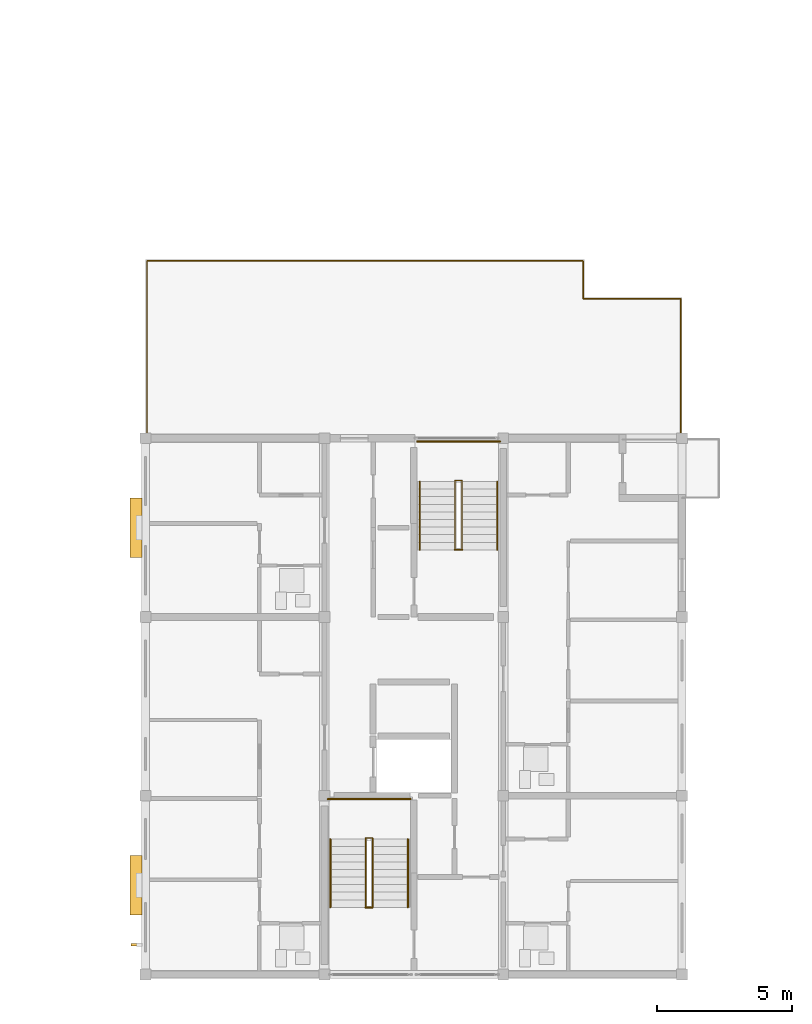
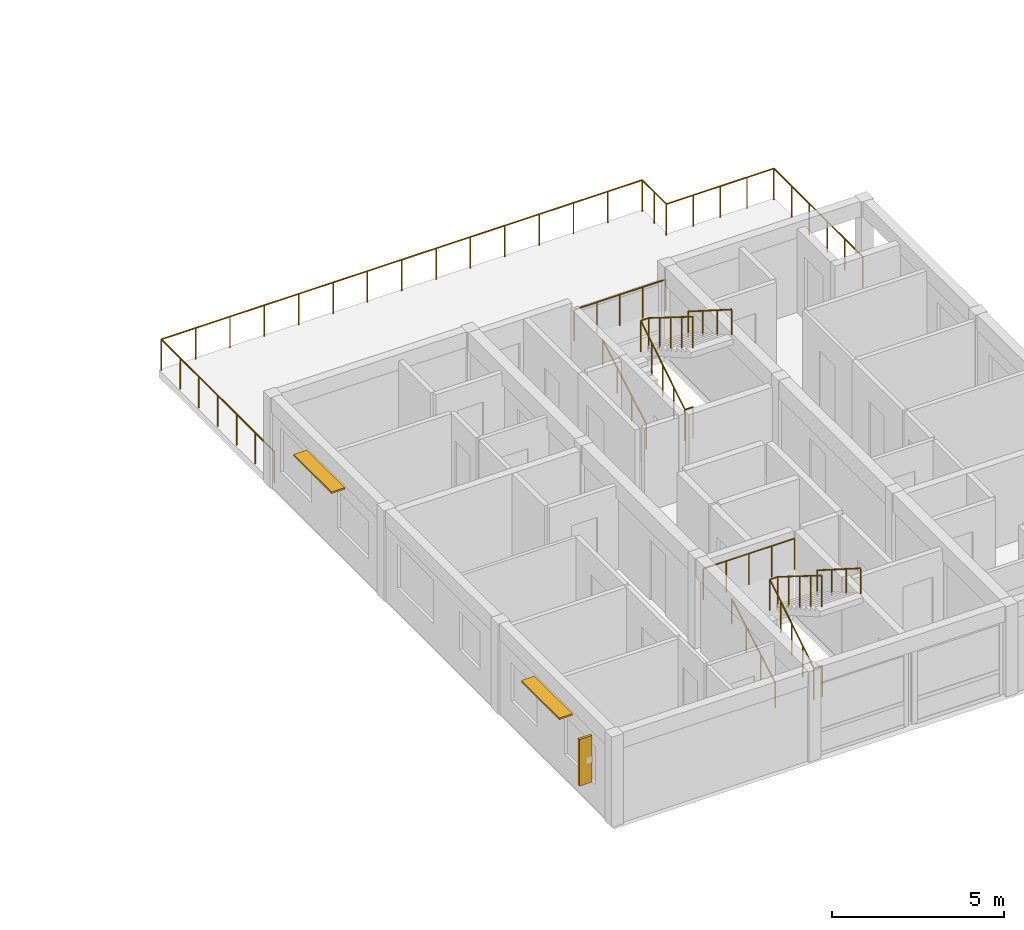
# One storey, part 33 of 37: 11 railings, 3 shading devices.
"""IFC4 building model written with IfcOpenShell, lengths in metres."""

from ifc_helpers import new_model, si_unit, direction, frame, origin, origin_2d, place, context, subcontext, project, spatial, rectangle, circle, extrude, material, layer, layer_set, type_object, element, save


model = new_model("IFC4")

# Units and contexts
model_context = context("Model", 3, precision=1e-05, world=origin(), true_north=direction((0.0, 1.0)))
body_context = subcontext(model_context, "Body", "Model", "MODEL_VIEW")
ifc_project = project(units=[si_unit("LENGTHUNIT", "METRE"), si_unit("AREAUNIT", "SQUARE_METRE"), si_unit("VOLUMEUNIT", "CUBIC_METRE"), si_unit("PLANEANGLEUNIT", "RADIAN"), si_unit("MASSUNIT", "GRAM", prefix="KILO")], contexts=[model_context])

# Site, building, storey
site_placement = place(None, origin())
site = spatial("IfcSite", under=ifc_project, at=site_placement, CompositionType="ELEMENT")
building_placement = place(site_placement, origin())
building = spatial("IfcBuilding", under=site, at=building_placement, Name="Kernevlak Ridge Housing Community", CompositionType="ELEMENT")
storey_placement = place(building_placement, frame((0.0, 0.0, 37.199951171875)))
storey = spatial("IfcBuildingStorey", under=building, at=storey_placement, Name="L11", CompositionType="ELEMENT", Elevation=37.199951171875)

# Railings
ifc_material_1 = material(Name="Steel S355", Category="steel")
railing_type_1 = type_object("IfcRailingType", Name="GR-01", PredefinedType="GUARDRAIL", material=ifc_material_1)
railing_1_placement = place(storey_placement, frame((126.050048828125, 35.39990234375, 0.0)))
element("IfcRailing", 1, at=railing_1_placement, inside=storey, type_object=railing_type_1, Name="Block C L11 setback terrace guard GR-01 45", PredefinedType="GUARDRAIL", context=body_context, shape_type="SweptSolid", body=[
    extrude(circle(Radius=0.02392578125, at=origin_2d()), frame((0.0, 0.0, 1.09619140625), z_axis=(0.0, 1.0, 0.0), x_axis=(-1.0, 0.0, 0.0)), (0.0, 0.0, 1.0), 6.550048828125),
    extrude(circle(Radius=0.02392578125, at=origin_2d()), frame((0.0, 6.550048828125, 1.09619140625), z_axis=(1.0, 0.0, 0.0), x_axis=(0.0, 1.0, 0.0)), (0.0, 0.0, 1.0), 16.099853515625),
    extrude(circle(Radius=0.02392578125, at=origin_2d()), frame((16.099853515625, 6.550048828125, 1.09619140625), z_axis=(0.0, -1.0, 0.0), x_axis=(1.0, 0.0, 0.0)), (0.0, 0.0, 1.0), 1.39990234375),
    extrude(circle(Radius=0.02392578125, at=origin_2d()), frame((16.099853515625, 5.150146484375, 1.09619140625), z_axis=(1.0, 0.0, 0.0), x_axis=(0.0, 1.0, 0.0)), (0.0, 0.0, 1.0), 3.60009765625),
    extrude(circle(Radius=0.02392578125, at=origin_2d()), frame((19.699951171875, 5.150146484375, 1.09619140625), z_axis=(0.0, -1.0, 0.0), x_axis=(1.0, 0.0, 0.0)), (0.0, 0.0, 1.0), 5.150146484375),
    extrude(circle(Radius=0.02099609375, at=origin_2d()), origin(), (0.0, 0.0, 1.0), 1.072021484375),
    extrude(circle(Radius=0.02099609375, at=origin_2d()), frame((0.0, 1.091796875, 0.0)), (0.0, 0.0, 1.0), 1.072021484375),
    extrude(circle(Radius=0.02099609375, at=origin_2d()), frame((0.0, 2.183349609375, 0.0)), (0.0, 0.0, 1.0), 1.072021484375),
    extrude(circle(Radius=0.02099609375, at=origin_2d()), frame((0.0, 3.27490234375, 0.0)), (0.0, 0.0, 1.0), 1.072021484375),
    extrude(circle(Radius=0.02099609375, at=origin_2d()), frame((0.0, 4.36669921875, 0.0)), (0.0, 0.0, 1.0), 1.072021484375),
    extrude(circle(Radius=0.02099609375, at=origin_2d()), frame((0.0, 5.45849609375, 0.0)), (0.0, 0.0, 1.0), 1.072021484375),
    extrude(circle(Radius=0.02099609375, at=origin_2d()), frame((0.0, 6.550048828125, 0.0)), (0.0, 0.0, 1.0), 1.072021484375),
    extrude(circle(Radius=0.02099609375, at=origin_2d()), frame((1.14990234375, 6.550048828125, 0.0)), (0.0, 0.0, 1.0), 1.072021484375),
    extrude(circle(Radius=0.02099609375, at=origin_2d()), frame((2.300048828125, 6.550048828125, 0.0)), (0.0, 0.0, 1.0), 1.072021484375),
    extrude(circle(Radius=0.02099609375, at=origin_2d()), frame((3.449951171875, 6.550048828125, 0.0)), (0.0, 0.0, 1.0), 1.072021484375),
    extrude(circle(Radius=0.02099609375, at=origin_2d()), frame((4.599853515625, 6.550048828125, 0.0)), (0.0, 0.0, 1.0), 1.072021484375),
    extrude(circle(Radius=0.02099609375, at=origin_2d()), frame((5.75, 6.550048828125, 0.0)), (0.0, 0.0, 1.0), 1.072021484375),
    extrude(circle(Radius=0.02099609375, at=origin_2d()), frame((6.89990234375, 6.550048828125, 0.0)), (0.0, 0.0, 1.0), 1.072021484375),
    extrude(circle(Radius=0.02099609375, at=origin_2d()), frame((8.0498046875, 6.550048828125, 0.0)), (0.0, 0.0, 1.0), 1.072021484375),
    extrude(circle(Radius=0.02099609375, at=origin_2d()), frame((9.199951171875, 6.550048828125, 0.0)), (0.0, 0.0, 1.0), 1.072021484375),
    extrude(circle(Radius=0.02099609375, at=origin_2d()), frame((10.349853515625, 6.550048828125, 0.0)), (0.0, 0.0, 1.0), 1.072021484375),
    extrude(circle(Radius=0.02099609375, at=origin_2d()), frame((11.5, 6.550048828125, 0.0)), (0.0, 0.0, 1.0), 1.072021484375),
    extrude(circle(Radius=0.02099609375, at=origin_2d()), frame((12.64990234375, 6.550048828125, 0.0)), (0.0, 0.0, 1.0), 1.072021484375),
    extrude(circle(Radius=0.02099609375, at=origin_2d()), frame((13.7998046875, 6.550048828125, 0.0)), (0.0, 0.0, 1.0), 1.072021484375),
    extrude(circle(Radius=0.02099609375, at=origin_2d()), frame((14.949951171875, 6.550048828125, 0.0)), (0.0, 0.0, 1.0), 1.072021484375),
    extrude(circle(Radius=0.02099609375, at=origin_2d()), frame((16.099853515625, 6.550048828125, 0.0)), (0.0, 0.0, 1.0), 1.072021484375),
    extrude(circle(Radius=0.02099609375, at=origin_2d()), frame((16.099853515625, 5.85009765625, 0.0)), (0.0, 0.0, 1.0), 1.072021484375),
    extrude(circle(Radius=0.02099609375, at=origin_2d()), frame((16.099853515625, 5.150146484375, 0.0)), (0.0, 0.0, 1.0), 1.072021484375),
    extrude(circle(Radius=0.02099609375, at=origin_2d()), frame((17.0, 5.150146484375, 0.0)), (0.0, 0.0, 1.0), 1.072021484375),
    extrude(circle(Radius=0.02099609375, at=origin_2d()), frame((17.89990234375, 5.150146484375, 0.0)), (0.0, 0.0, 1.0), 1.072021484375),
    extrude(circle(Radius=0.02099609375, at=origin_2d()), frame((18.7998046875, 5.150146484375, 0.0)), (0.0, 0.0, 1.0), 1.072021484375),
    extrude(circle(Radius=0.02099609375, at=origin_2d()), frame((19.699951171875, 5.150146484375, 0.0)), (0.0, 0.0, 1.0), 1.072021484375),
    extrude(circle(Radius=0.02099609375, at=origin_2d()), frame((19.699951171875, 4.1201171875, 0.0)), (0.0, 0.0, 1.0), 1.072021484375),
    extrude(circle(Radius=0.02099609375, at=origin_2d()), frame((19.699951171875, 3.090087890625, 0.0)), (0.0, 0.0, 1.0), 1.072021484375),
    extrude(circle(Radius=0.02099609375, at=origin_2d()), frame((19.699951171875, 2.06005859375, 0.0)), (0.0, 0.0, 1.0), 1.072021484375),
    extrude(circle(Radius=0.02099609375, at=origin_2d()), frame((19.699951171875, 1.030029296875, 0.0)), (0.0, 0.0, 1.0), 1.072021484375),
    extrude(circle(Radius=0.02099609375, at=origin_2d()), frame((19.699951171875, 0.0, 0.0)), (0.0, 0.0, 1.0), 1.072021484375),
])
railing_type_2 = type_object("IfcRailingType", Name="GR-02", PredefinedType="GUARDRAIL", material=ifc_material_1)
railing_2_placement = place(storey_placement, frame((134.110107421875, 18.080078125, 0.0)))
element("IfcRailing", 2, at=railing_2_placement, inside=storey, type_object=railing_type_2, Name="Stair ST-C1 L11 well slot guard", PredefinedType="GUARDRAIL", context=body_context, shape_type="SweptSolid", body=[
    extrude(circle(Radius=0.02392578125, at=origin_2d()), frame((0.0, 0.0, 1.09619140625), z_axis=(1.0, 0.0, 0.0), x_axis=(0.0, 1.0, 0.0)), (0.0, 0.0, 1.0), 0.27978515625),
    extrude(circle(Radius=0.02099609375, at=origin_2d()), origin(), (0.0, 0.0, 1.0), 1.072021484375),
    extrude(circle(Radius=0.02099609375, at=origin_2d()), frame((0.27978515625, 0.0, 0.0)), (0.0, 0.0, 1.0), 1.072021484375),
])
railing_3_placement = place(storey_placement, frame((134.1201171875, 18.080078125, 0.0)))
element("IfcRailing", 3, at=railing_3_placement, inside=storey, type_object=railing_type_2, Name="Stair ST-C1 L11 inner well guardrail", PredefinedType="GUARDRAIL", context=body_context, shape_type="SweptSolid", body=[
    extrude(circle(Radius=0.02392578125, at=origin_2d()), frame((0.0, 0.0, 1.09619140625), z_axis=(0.0, 0.847966497998, 0.530049826217), x_axis=(-1.0, 0.0, 0.0)), (0.0, 0.0, 1.0), 3.018798828125),
    extrude(circle(Radius=0.02392578125, at=origin_2d()), frame((0.0, 2.559814453125, 2.6962890625), z_axis=(1.0, 0.0, 0.0), x_axis=(0.0, 1.0, 0.0)), (0.0, 0.0, 1.0), 0.259765625),
    extrude(circle(Radius=0.02392578125, at=origin_2d()), frame((0.259765625, 2.559814453125, 2.6962890625), z_axis=(0.0, -0.848002847666, 0.529991670077), x_axis=(1.0, 0.0, 0.0)), (0.0, 0.0, 1.0), 3.0185546875),
    extrude(circle(Radius=0.02099609375, at=origin_2d()), origin(), (0.0, 0.0, 1.0), 1.072021484375),
    extrude(circle(Radius=0.02099609375, at=origin_2d()), frame((0.0, 0.639892578125, 0.39990234375)), (0.0, 0.0, 1.0), 1.072021484375),
    extrude(circle(Radius=0.02099609375, at=origin_2d()), frame((0.0, 1.27978515625, 0.800048828125)), (0.0, 0.0, 1.0), 1.072021484375),
    extrude(circle(Radius=0.02099609375, at=origin_2d()), frame((0.0, 1.919921875, 1.2001953125)), (0.0, 0.0, 1.0), 1.072021484375),
    extrude(circle(Radius=0.02099609375, at=origin_2d()), frame((0.0, 2.559814453125, 1.60009765625)), (0.0, 0.0, 1.0), 1.072021484375),
    extrude(circle(Radius=0.02099609375, at=origin_2d()), frame((0.259765625, 2.559814453125, 1.60009765625)), (0.0, 0.0, 1.0), 1.072021484375),
    extrude(circle(Radius=0.02099609375, at=origin_2d()), frame((0.259765625, 1.919921875, 2.0)), (0.0, 0.0, 1.0), 1.072021484375),
    extrude(circle(Radius=0.02099609375, at=origin_2d()), frame((0.259765625, 1.27978515625, 2.39990234375)), (0.0, 0.0, 1.0), 1.072021484375),
    extrude(circle(Radius=0.02099609375, at=origin_2d()), frame((0.259765625, 0.639892578125, 2.800048828125)), (0.0, 0.0, 1.0), 1.072021484375),
    extrude(circle(Radius=0.02099609375, at=origin_2d()), frame((0.259765625, 0.0, 3.199951171875)), (0.0, 0.0, 1.0), 1.072021484375),
])
railing_4_placement = place(storey_placement, frame((132.719970703125, 22.080078125, 1.60009765625)))
element("IfcRailing", 4, at=railing_4_placement, inside=storey, type_object=railing_type_2, Name="Stair ST-C1 L11 half-landing guard", PredefinedType="GUARDRAIL", context=body_context, shape_type="SweptSolid", body=[
    extrude(circle(Radius=0.02392578125, at=origin_2d()), frame((0.0, 0.0, 1.09619140625), z_axis=(1.0, 0.0, 0.0), x_axis=(0.0, 1.0, 0.0)), (0.0, 0.0, 1.0), 3.06005859375),
    extrude(circle(Radius=0.02099609375, at=origin_2d()), origin(), (0.0, 0.0, 1.0), 1.072021484375),
    extrude(circle(Radius=0.02099609375, at=origin_2d()), frame((0.76513671875, 0.0, 0.0)), (0.0, 0.0, 1.0), 1.072021484375),
    extrude(circle(Radius=0.02099609375, at=origin_2d()), frame((1.530029296875, 0.0, 0.0)), (0.0, 0.0, 1.0), 1.072021484375),
    extrude(circle(Radius=0.02099609375, at=origin_2d()), frame((2.294921875, 0.0, 0.0)), (0.0, 0.0, 1.0), 1.072021484375),
    extrude(circle(Radius=0.02099609375, at=origin_2d()), frame((3.06005859375, 0.0, 0.0)), (0.0, 0.0, 1.0), 1.072021484375),
])
railing_5_placement = place(storey_placement, frame((137.409912109375, 31.280029296875, 0.0)))
element("IfcRailing", 5, at=railing_5_placement, inside=storey, type_object=railing_type_2, Name="Stair ST-C2 L11 well slot guard", PredefinedType="GUARDRAIL", context=body_context, shape_type="SweptSolid", body=[
    extrude(circle(Radius=0.02392578125, at=origin_2d()), frame((0.0, 0.0, 1.09619140625), z_axis=(1.0, 0.0, 0.0), x_axis=(0.0, 1.0, 0.0)), (0.0, 0.0, 1.0), 0.280029296875),
    extrude(circle(Radius=0.02099609375, at=origin_2d()), origin(), (0.0, 0.0, 1.0), 1.072021484375),
    extrude(circle(Radius=0.02099609375, at=origin_2d()), frame((0.280029296875, 0.0, 0.0)), (0.0, 0.0, 1.0), 1.072021484375),
])
railing_6_placement = place(storey_placement, frame((137.419921875, 31.280029296875, 0.0)))
element("IfcRailing", 6, at=railing_6_placement, inside=storey, type_object=railing_type_2, Name="Stair ST-C2 L11 inner well guardrail", PredefinedType="GUARDRAIL", context=body_context, shape_type="SweptSolid", body=[
    extrude(circle(Radius=0.02392578125, at=origin_2d()), frame((0.0, 0.0, 1.09619140625), z_axis=(0.0, 0.847989217509, 0.530013478119), x_axis=(-1.0, 0.0, 0.0)), (0.0, 0.0, 1.0), 3.01904296875),
    extrude(circle(Radius=0.02392578125, at=origin_2d()), frame((0.0, 2.56005859375, 2.6962890625), z_axis=(1.0, 0.0, 0.0), x_axis=(0.0, 1.0, 0.0)), (0.0, 0.0, 1.0), 0.260009765625),
    extrude(circle(Radius=0.02392578125, at=origin_2d()), frame((0.260009765625, 2.56005859375, 2.6962890625), z_axis=(0.0, -0.848025563165, 0.529955322851), x_axis=(1.0, 0.0, 0.0)), (0.0, 0.0, 1.0), 3.018798828125),
    extrude(circle(Radius=0.02099609375, at=origin_2d()), origin(), (0.0, 0.0, 1.0), 1.072021484375),
    extrude(circle(Radius=0.02099609375, at=origin_2d()), frame((0.0, 0.64013671875, 0.39990234375)), (0.0, 0.0, 1.0), 1.072021484375),
    extrude(circle(Radius=0.02099609375, at=origin_2d()), frame((0.0, 1.280029296875, 0.800048828125)), (0.0, 0.0, 1.0), 1.072021484375),
    extrude(circle(Radius=0.02099609375, at=origin_2d()), frame((0.0, 1.919921875, 1.2001953125)), (0.0, 0.0, 1.0), 1.072021484375),
    extrude(circle(Radius=0.02099609375, at=origin_2d()), frame((0.0, 2.56005859375, 1.60009765625)), (0.0, 0.0, 1.0), 1.072021484375),
    extrude(circle(Radius=0.02099609375, at=origin_2d()), frame((0.260009765625, 2.56005859375, 1.60009765625)), (0.0, 0.0, 1.0), 1.072021484375),
    extrude(circle(Radius=0.02099609375, at=origin_2d()), frame((0.260009765625, 1.919921875, 2.0)), (0.0, 0.0, 1.0), 1.072021484375),
    extrude(circle(Radius=0.02099609375, at=origin_2d()), frame((0.260009765625, 1.280029296875, 2.39990234375)), (0.0, 0.0, 1.0), 1.072021484375),
    extrude(circle(Radius=0.02099609375, at=origin_2d()), frame((0.260009765625, 0.64013671875, 2.800048828125)), (0.0, 0.0, 1.0), 1.072021484375),
    extrude(circle(Radius=0.02099609375, at=origin_2d()), frame((0.260009765625, 0.0, 3.199951171875)), (0.0, 0.0, 1.0), 1.072021484375),
])
railing_7_placement = place(storey_placement, frame((136.02001953125, 35.280029296875, 1.60009765625)))
element("IfcRailing", 7, at=railing_7_placement, inside=storey, type_object=railing_type_2, Name="Stair ST-C2 L11 half-landing guard", PredefinedType="GUARDRAIL", context=body_context, shape_type="SweptSolid", body=[
    extrude(circle(Radius=0.02392578125, at=origin_2d()), frame((0.0, 0.0, 1.09619140625), z_axis=(1.0, 0.0, 0.0), x_axis=(0.0, 1.0, 0.0)), (0.0, 0.0, 1.0), 3.06005859375),
    extrude(circle(Radius=0.02099609375, at=origin_2d()), origin(), (0.0, 0.0, 1.0), 1.072021484375),
    extrude(circle(Radius=0.02099609375, at=origin_2d()), frame((0.76513671875, 0.0, 0.0)), (0.0, 0.0, 1.0), 1.072021484375),
    extrude(circle(Radius=0.02099609375, at=origin_2d()), frame((1.530029296875, 0.0, 0.0)), (0.0, 0.0, 1.0), 1.072021484375),
    extrude(circle(Radius=0.02099609375, at=origin_2d()), frame((2.294921875, 0.0, 0.0)), (0.0, 0.0, 1.0), 1.072021484375),
    extrude(circle(Radius=0.02099609375, at=origin_2d()), frame((3.06005859375, 0.0, 0.0)), (0.0, 0.0, 1.0), 1.072021484375),
])
ifc_material_2 = material(Name="Stainless steel EN 1.4401", Category="steel")
railing_type_3 = type_object("IfcRailingType", Name="HR-01", PredefinedType="HANDRAIL", material=ifc_material_2)
railing_8_placement = place(storey_placement, frame((132.820068359375, 18.080078125, 0.16015625)))
element("IfcRailing", 8, at=railing_8_placement, inside=storey, type_object=railing_type_3, Name="Stair ST-C1 L11 flight 1 handrail", PredefinedType="HANDRAIL", context=body_context, shape_type="SweptSolid", body=[
    extrude(circle(Radius=0.02392578125, at=origin_2d()), frame((0.0, 0.0, 0.89599609375), z_axis=(0.0, 0.868253494771, 0.496120820787), x_axis=(-1.0, 0.0, 0.0)), (0.0, 0.0, 1.0), 2.90234375),
    extrude(circle(Radius=0.02099609375, at=origin_2d()), origin(), (0.0, 0.0, 1.0), 0.871826171875),
    extrude(circle(Radius=0.02099609375, at=origin_2d()), frame((0.0, 0.840087890625, 0.47998046875)), (0.0, 0.0, 1.0), 0.871826171875),
    extrude(circle(Radius=0.02099609375, at=origin_2d()), frame((0.0, 1.679931640625, 0.9599609375)), (0.0, 0.0, 1.0), 0.871826171875),
    extrude(circle(Radius=0.02099609375, at=origin_2d()), frame((0.0, 2.52001953125, 1.43994140625)), (0.0, 0.0, 1.0), 0.871826171875),
])
railing_9_placement = place(storey_placement, frame((135.679931640625, 20.60009765625, 1.60009765625)))
element("IfcRailing", 9, at=railing_9_placement, inside=storey, type_object=railing_type_3, Name="Stair ST-C1 L11 flight 2 handrail", PredefinedType="HANDRAIL", context=body_context, shape_type="SweptSolid", body=[
    extrude(circle(Radius=0.02392578125, at=origin_2d()), frame((0.0, 0.0, 0.89599609375), z_axis=(0.0, -0.84423690053, 0.535970200462), x_axis=(1.0, 0.0, 0.0)), (0.0, 0.0, 1.0), 2.98486328125),
    extrude(circle(Radius=0.02099609375, at=origin_2d()), origin(), (0.0, 0.0, 1.0), 0.871826171875),
    extrude(circle(Radius=0.02099609375, at=origin_2d()), frame((0.0, -0.840087890625, 0.533203125)), (0.0, 0.0, 1.0), 0.871826171875),
    extrude(circle(Radius=0.02099609375, at=origin_2d()), frame((0.0, -1.679931640625, 1.066650390625)), (0.0, 0.0, 1.0), 0.871826171875),
    extrude(circle(Radius=0.02099609375, at=origin_2d()), frame((0.0, -2.52001953125, 1.599853515625)), (0.0, 0.0, 1.0), 0.871826171875),
])
railing_10_placement = place(storey_placement, frame((136.1201171875, 31.280029296875, 0.16015625)))
element("IfcRailing", 10, at=railing_10_placement, inside=storey, type_object=railing_type_3, Name="Stair ST-C2 L11 flight 1 handrail", PredefinedType="HANDRAIL", context=body_context, shape_type="SweptSolid", body=[
    extrude(circle(Radius=0.02392578125, at=origin_2d()), frame((0.0, 0.0, 0.89599609375), z_axis=(0.0, 0.868253494771, 0.496120820787), x_axis=(-1.0, 0.0, 0.0)), (0.0, 0.0, 1.0), 2.90234375),
    extrude(circle(Radius=0.02099609375, at=origin_2d()), origin(), (0.0, 0.0, 1.0), 0.871826171875),
    extrude(circle(Radius=0.02099609375, at=origin_2d()), frame((0.0, 0.840087890625, 0.47998046875)), (0.0, 0.0, 1.0), 0.871826171875),
    extrude(circle(Radius=0.02099609375, at=origin_2d()), frame((0.0, 1.679931640625, 0.9599609375)), (0.0, 0.0, 1.0), 0.871826171875),
    extrude(circle(Radius=0.02099609375, at=origin_2d()), frame((0.0, 2.52001953125, 1.43994140625)), (0.0, 0.0, 1.0), 0.871826171875),
])
railing_11_placement = place(storey_placement, frame((138.97998046875, 33.800048828125, 1.60009765625)))
element("IfcRailing", 11, at=railing_11_placement, inside=storey, type_object=railing_type_3, Name="Stair ST-C2 L11 flight 2 handrail", PredefinedType="HANDRAIL", context=body_context, shape_type="SweptSolid", body=[
    extrude(circle(Radius=0.02392578125, at=origin_2d()), frame((0.0, 0.0, 0.89599609375), z_axis=(0.0, -0.84423690053, 0.535970200462), x_axis=(1.0, 0.0, 0.0)), (0.0, 0.0, 1.0), 2.98486328125),
    extrude(circle(Radius=0.02099609375, at=origin_2d()), origin(), (0.0, 0.0, 1.0), 0.871826171875),
    extrude(circle(Radius=0.02099609375, at=origin_2d()), frame((0.0, -0.840087890625, 0.533203125)), (0.0, 0.0, 1.0), 0.871826171875),
    extrude(circle(Radius=0.02099609375, at=origin_2d()), frame((0.0, -1.679931640625, 1.066650390625)), (0.0, 0.0, 1.0), 0.871826171875),
    extrude(circle(Radius=0.02099609375, at=origin_2d()), frame((0.0, -2.52001953125, 1.599853515625)), (0.0, 0.0, 1.0), 0.871826171875),
])

# Shading devices
ifc_material_3 = material(Name="Aluminium EN AW-6060 anodised", Category="aluminium")
ifc_layer = layer(ifc_material_3, 0.06005859375, Name="Aluminium EN AW-6060 anodised")
ifc_layer_set = layer_set([ifc_layer], Name="Aluminium EN AW-6060 anodised")
shading_device_type_1 = type_object("IfcShadingDeviceType", Name="LV-01", PredefinedType="JALOUSIE", material=ifc_layer_set)
for number, where, z_axis, x_axis, name in (
    (12, (125.64990234375, 18.89990234375, 2.489990234375), (0.0, 0.0, 1.0), (0.0, 1.0, 0.0), "Horizontal solar louvre 37"),
    (13, (125.64990234375, 32.10009765625, 2.489990234375), (0.0, 0.0, 1.0), (0.0, 1.0, 0.0), "Horizontal solar louvre 38"),
):
    element("IfcShadingDevice", number, at=place(storey_placement, frame(where, z_axis=z_axis, x_axis=x_axis)), inside=storey, type_object=shading_device_type_1, Name=name, PredefinedType="JALOUSIE", context=body_context, shape_type="SweptSolid", body=[
        extrude(rectangle(XDim=2.199951171875, YDim=0.43994140625, at=origin_2d()), origin(), (0.0, 0.0, 1.0), 0.06005859375),
    ])
ifc_material_4 = material(Name="Aluminium EN AW-6060 enamelled", Category="aluminium")
shading_device_type_2 = type_object("IfcShadingDeviceType", Name="LV-02", PredefinedType="USERDEFINED", material=ifc_material_4)
shading_device_placement = place(storey_placement, frame((125.659912109375, 16.699951171875, 0.8251953125), z_axis=(0.0, 0.0, 1.0), x_axis=(0.0, 1.0, 0.0)))
element("IfcShadingDevice", 14, at=shading_device_placement, inside=storey, type_object=shading_device_type_2, Name="De Stijl yellow vertical solar fin 37", ObjectType="LOUVRE", PredefinedType="USERDEFINED", context=body_context, shape_type="SweptSolid", body=[
    extrude(rectangle(XDim=0.080078125, YDim=0.419921875, at=origin_2d()), origin(), (0.0, 0.0, 1.0), 1.64990234375),
])

save(model, "model.ifc")
